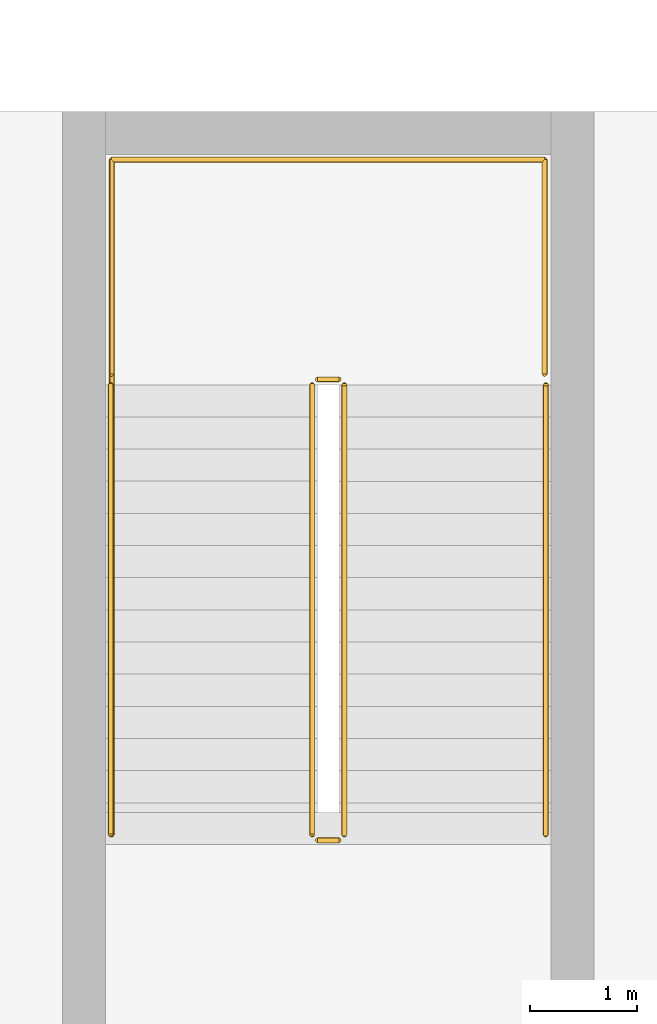
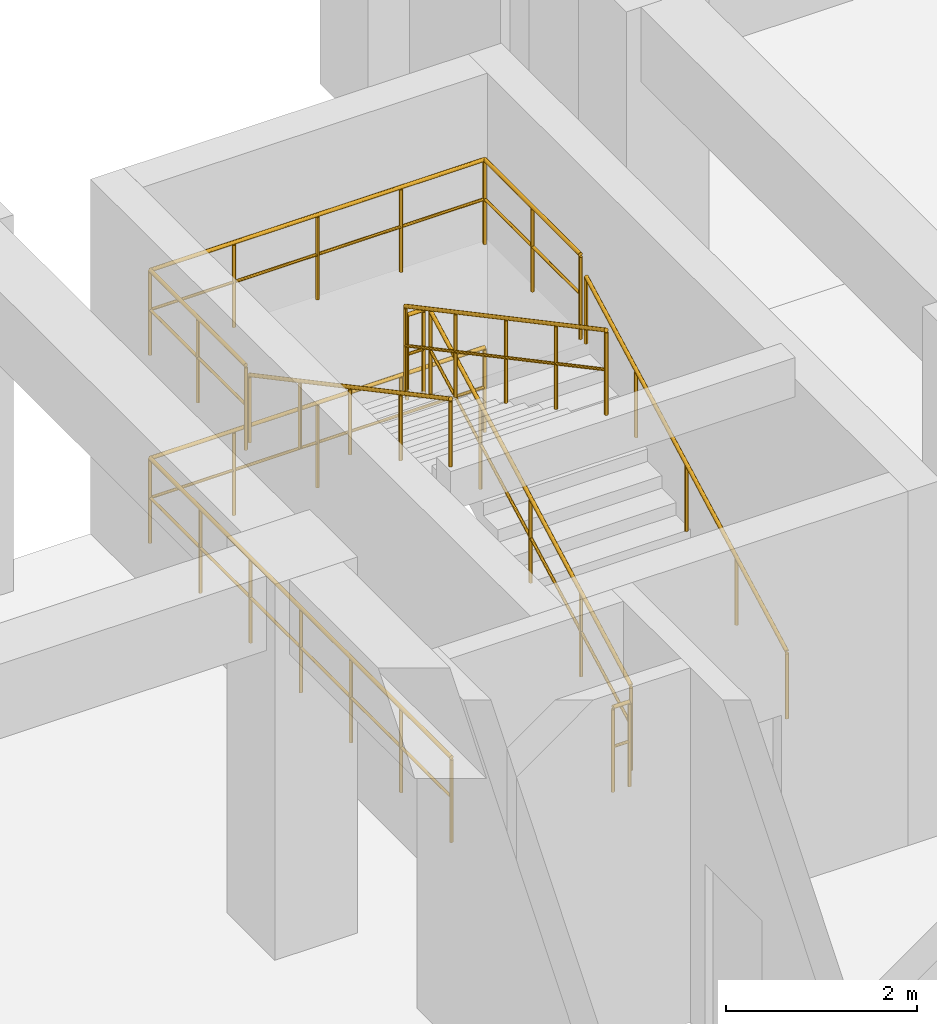
# One storey, part 44 of 49: 8 railings.
"""IFC4 building model written with IfcOpenShell, lengths in metres."""

from ifc_helpers import new_model, si_unit, direction, frame, origin, origin_2d, place, context, subcontext, project, spatial, circle, extrude, material, type_object, element, save


model = new_model("IFC4")

# Units and contexts
model_context = context("Model", 3, precision=1e-05, world=origin(), true_north=direction((0.0, 1.0)))
body_context = subcontext(model_context, "Body", "Model", "MODEL_VIEW")
ifc_project = project(units=[si_unit("LENGTHUNIT", "METRE"), si_unit("AREAUNIT", "SQUARE_METRE"), si_unit("VOLUMEUNIT", "CUBIC_METRE"), si_unit("PLANEANGLEUNIT", "RADIAN"), si_unit("MASSUNIT", "GRAM", prefix="KILO")], contexts=[model_context])

# Site, building, storey
site_placement = place(None, origin())
site = spatial("IfcSite", under=ifc_project, at=site_placement, CompositionType="ELEMENT")
building_placement = place(site_placement, origin())
building = spatial("IfcBuilding", under=site, at=building_placement, Name="Kenerak Square Central Library", CompositionType="ELEMENT")
storey_placement = place(building_placement, origin())
storey = spatial("IfcBuildingStorey", under=building, at=storey_placement, Name="L00", CompositionType="ELEMENT", Elevation=0.0)

# Railings
ifc_material = material(Name="Steel S355", Category="steel")
railing_type_1 = type_object("IfcRailingType", Name="Safety Guardrail GR-1100 S355", PredefinedType="GUARDRAIL", material=ifc_material)
railing_1_placement = place(storey_placement, frame((62.75, 103.64990234375, 0.159912109375)))
element("IfcRailing", 1, at=railing_1_placement, inside=storey, type_object=railing_type_1, Name="L00 ST-01 stair guard 1", PredefinedType="GUARDRAIL", context=body_context, shape_type="SweptSolid", body=[
    extrude(circle(Radius=0.02392578125, at=origin_2d()), frame((0.0, 0.0, 1.076171875), z_axis=(0.0, 0.882362879185, 0.470569601054), x_axis=(-1.0, 0.0, 0.0)), (0.0, 0.0, 1.0), 4.76025390625),
    extrude(circle(Radius=0.01806640625, at=origin_2d()), frame((0.0, 0.0, 0.572021484375), z_axis=(0.0, 0.882362879185, 0.470569601054), x_axis=(-1.0, 0.0, 0.0)), (0.0, 0.0, 1.0), 4.76025390625),
    extrude(circle(Radius=0.02099609375, at=origin_2d()), origin(), (0.0, 0.0, 1.0), 1.052001953125),
    extrude(circle(Radius=0.02099609375, at=origin_2d()), frame((0.0, 1.050048828125, 0.56005859375)), (0.0, 0.0, 1.0), 1.052001953125),
    extrude(circle(Radius=0.02099609375, at=origin_2d()), frame((0.0, 2.10009765625, 1.1201171875)), (0.0, 0.0, 1.0), 1.052001953125),
    extrude(circle(Radius=0.02099609375, at=origin_2d()), frame((0.0, 3.150146484375, 1.679931640625)), (0.0, 0.0, 1.0), 1.052001953125),
    extrude(circle(Radius=0.02099609375, at=origin_2d()), frame((0.0, 4.2001953125, 2.239990234375)), (0.0, 0.0, 1.0), 1.052001953125),
])
railing_2_placement = place(storey_placement, frame((62.699951171875, 107.89990234375, 2.39990234375)))
element("IfcRailing", 2, at=railing_2_placement, inside=storey, type_object=railing_type_1, Name="L00 ST-01 stair guard 2", PredefinedType="GUARDRAIL", context=body_context, shape_type="SweptSolid", body=[
    extrude(circle(Radius=0.02392578125, at=origin_2d()), frame((0.0, 0.0, 1.076171875), z_axis=(-1.0, 0.0, 0.0), x_axis=(0.0, -1.0, 0.0)), (0.0, 0.0, 1.0), 0.199951171875),
    extrude(circle(Radius=0.01806640625, at=origin_2d()), frame((0.0, 0.0, 0.572021484375), z_axis=(-1.0, 0.0, 0.0), x_axis=(0.0, -1.0, 0.0)), (0.0, 0.0, 1.0), 0.199951171875),
    extrude(circle(Radius=0.02099609375, at=origin_2d()), origin(), (0.0, 0.0, 1.0), 1.052001953125),
    extrude(circle(Radius=0.02099609375, at=origin_2d()), frame((-0.199951171875, 0.0, 0.0)), (0.0, 0.0, 1.0), 1.052001953125),
])
railing_3_placement = place(storey_placement, frame((62.449951171875, 107.85009765625, 2.56005859375)))
element("IfcRailing", 3, at=railing_3_placement, inside=storey, type_object=railing_type_1, Name="L00 ST-01 stair guard 3", PredefinedType="GUARDRAIL", context=body_context, shape_type="SweptSolid", body=[
    extrude(circle(Radius=0.02392578125, at=origin_2d()), frame((0.0, 0.0, 1.076171875), z_axis=(0.0, -0.882362879185, 0.470569601054), x_axis=(1.0, 0.0, 0.0)), (0.0, 0.0, 1.0), 4.76025390625),
    extrude(circle(Radius=0.01806640625, at=origin_2d()), frame((0.0, 0.0, 0.572021484375), z_axis=(0.0, -0.882362879185, 0.470569601054), x_axis=(1.0, 0.0, 0.0)), (0.0, 0.0, 1.0), 4.76025390625),
    extrude(circle(Radius=0.02099609375, at=origin_2d()), origin(), (0.0, 0.0, 1.0), 1.052001953125),
    extrude(circle(Radius=0.02099609375, at=origin_2d()), frame((0.0, -1.050048828125, 0.56005859375)), (0.0, 0.0, 1.0), 1.052001953125),
    extrude(circle(Radius=0.02099609375, at=origin_2d()), frame((0.0, -2.10009765625, 1.1201171875)), (0.0, 0.0, 1.0), 1.052001953125),
    extrude(circle(Radius=0.02099609375, at=origin_2d()), frame((0.0, -3.150146484375, 1.679931640625)), (0.0, 0.0, 1.0), 1.052001953125),
    extrude(circle(Radius=0.02099609375, at=origin_2d()), frame((0.0, -4.2001953125, 2.239990234375)), (0.0, 0.0, 1.0), 1.052001953125),
])
railing_4_placement = place(storey_placement, frame((62.699951171875, 103.60009765625, 0.0)))
element("IfcRailing", 4, at=railing_4_placement, inside=storey, type_object=railing_type_1, Name="L00 ST-01 stair guard 4", PredefinedType="GUARDRAIL", context=body_context, shape_type="SweptSolid", body=[
    extrude(circle(Radius=0.02392578125, at=origin_2d()), frame((0.0, 0.0, 1.076171875), z_axis=(-1.0, 0.0, 0.0), x_axis=(0.0, -1.0, 0.0)), (0.0, 0.0, 1.0), 0.199951171875),
    extrude(circle(Radius=0.01806640625, at=origin_2d()), frame((0.0, 0.0, 0.572021484375), z_axis=(-1.0, 0.0, 0.0), x_axis=(0.0, -1.0, 0.0)), (0.0, 0.0, 1.0), 0.199951171875),
    extrude(circle(Radius=0.02099609375, at=origin_2d()), origin(), (0.0, 0.0, 1.0), 1.052001953125),
    extrude(circle(Radius=0.02099609375, at=origin_2d()), frame((-0.199951171875, 0.0, 0.0)), (0.0, 0.0, 1.0), 1.052001953125),
])
railing_5_placement = place(storey_placement, frame((60.580078125, 107.949951171875, 2.39990234375)))
element("IfcRailing", 5, at=railing_5_placement, inside=storey, type_object=railing_type_1, Name="Stair Half-Landing Guard ST-01 L00", PredefinedType="GUARDRAIL", context=body_context, shape_type="SweptSolid", body=[
    extrude(circle(Radius=0.02392578125, at=origin_2d()), frame((0.0, 0.0, 1.076171875), z_axis=(0.0, 1.0, 0.0), x_axis=(-1.0, 0.0, 0.0)), (0.0, 0.0, 1.0), 2.0),
    extrude(circle(Radius=0.01806640625, at=origin_2d()), frame((0.0, 0.0, 0.572021484375), z_axis=(0.0, 1.0, 0.0), x_axis=(-1.0, 0.0, 0.0)), (0.0, 0.0, 1.0), 2.0),
    extrude(circle(Radius=0.02392578125, at=origin_2d()), frame((0.0, 2.0, 1.076171875), z_axis=(1.0, 0.0, 0.0), x_axis=(0.0, 1.0, 0.0)), (0.0, 0.0, 1.0), 4.0400390625),
    extrude(circle(Radius=0.01806640625, at=origin_2d()), frame((0.0, 2.0, 0.572021484375), z_axis=(1.0, 0.0, 0.0), x_axis=(0.0, 1.0, 0.0)), (0.0, 0.0, 1.0), 4.0400390625),
    extrude(circle(Radius=0.02392578125, at=origin_2d()), frame((4.0400390625, 2.0, 1.076171875), z_axis=(0.0, -1.0, 0.0), x_axis=(1.0, 0.0, 0.0)), (0.0, 0.0, 1.0), 2.0),
    extrude(circle(Radius=0.01806640625, at=origin_2d()), frame((4.0400390625, 2.0, 0.572021484375), z_axis=(0.0, -1.0, 0.0), x_axis=(1.0, 0.0, 0.0)), (0.0, 0.0, 1.0), 2.0),
    extrude(circle(Radius=0.02099609375, at=origin_2d()), origin(), (0.0, 0.0, 1.0), 1.052001953125),
    extrude(circle(Radius=0.02099609375, at=origin_2d()), frame((0.0, 1.0, 0.0)), (0.0, 0.0, 1.0), 1.052001953125),
    extrude(circle(Radius=0.02099609375, at=origin_2d()), frame((0.0, 2.0, 0.0)), (0.0, 0.0, 1.0), 1.052001953125),
    extrude(circle(Radius=0.02099609375, at=origin_2d()), frame((1.010009765625, 2.0, 0.0)), (0.0, 0.0, 1.0), 1.052001953125),
    extrude(circle(Radius=0.02099609375, at=origin_2d()), frame((2.02001953125, 2.0, 0.0)), (0.0, 0.0, 1.0), 1.052001953125),
    extrude(circle(Radius=0.02099609375, at=origin_2d()), frame((3.030029296875, 2.0, 0.0)), (0.0, 0.0, 1.0), 1.052001953125),
    extrude(circle(Radius=0.02099609375, at=origin_2d()), frame((4.0400390625, 2.0, 0.0)), (0.0, 0.0, 1.0), 1.052001953125),
    extrude(circle(Radius=0.02099609375, at=origin_2d()), frame((4.0400390625, 1.0, 0.0)), (0.0, 0.0, 1.0), 1.052001953125),
    extrude(circle(Radius=0.02099609375, at=origin_2d()), frame((4.0400390625, 0.0, 0.0)), (0.0, 0.0, 1.0), 1.052001953125),
])
railing_6_placement = place(storey_placement, frame((60.580078125, 103.64990234375, 0.0)))
element("IfcRailing", 6, at=railing_6_placement, inside=storey, type_object=railing_type_1, Name="Stair Well Floor Guard ST-01 L00", PredefinedType="GUARDRAIL", context=body_context, shape_type="SweptSolid", body=[
    extrude(circle(Radius=0.02392578125, at=origin_2d()), frame((0.0, 0.0, 1.076171875), z_axis=(0.0, 1.0, 0.0), x_axis=(-1.0, 0.0, 0.0)), (0.0, 0.0, 1.0), 6.300048828125),
    extrude(circle(Radius=0.01806640625, at=origin_2d()), frame((0.0, 0.0, 0.572021484375), z_axis=(0.0, 1.0, 0.0), x_axis=(-1.0, 0.0, 0.0)), (0.0, 0.0, 1.0), 6.300048828125),
    extrude(circle(Radius=0.02392578125, at=origin_2d()), frame((0.0, 6.300048828125, 1.076171875), z_axis=(1.0, 0.0, 0.0), x_axis=(0.0, 1.0, 0.0)), (0.0, 0.0, 1.0), 4.0400390625),
    extrude(circle(Radius=0.01806640625, at=origin_2d()), frame((0.0, 6.300048828125, 0.572021484375), z_axis=(1.0, 0.0, 0.0), x_axis=(0.0, 1.0, 0.0)), (0.0, 0.0, 1.0), 4.0400390625),
    extrude(circle(Radius=0.02099609375, at=origin_2d()), origin(), (0.0, 0.0, 1.0), 1.052001953125),
    extrude(circle(Radius=0.02099609375, at=origin_2d()), frame((0.0, 1.050048828125, 0.0)), (0.0, 0.0, 1.0), 1.052001953125),
    extrude(circle(Radius=0.02099609375, at=origin_2d()), frame((0.0, 2.10009765625, 0.0)), (0.0, 0.0, 1.0), 1.052001953125),
    extrude(circle(Radius=0.02099609375, at=origin_2d()), frame((0.0, 3.14990234375, 0.0)), (0.0, 0.0, 1.0), 1.052001953125),
    extrude(circle(Radius=0.02099609375, at=origin_2d()), frame((0.0, 4.199951171875, 0.0)), (0.0, 0.0, 1.0), 1.052001953125),
    extrude(circle(Radius=0.02099609375, at=origin_2d()), frame((0.0, 5.25, 0.0)), (0.0, 0.0, 1.0), 1.052001953125),
    extrude(circle(Radius=0.02099609375, at=origin_2d()), frame((0.0, 6.300048828125, 0.0)), (0.0, 0.0, 1.0), 1.052001953125),
    extrude(circle(Radius=0.02099609375, at=origin_2d()), frame((1.010009765625, 6.300048828125, 0.0)), (0.0, 0.0, 1.0), 1.052001953125),
    extrude(circle(Radius=0.02099609375, at=origin_2d()), frame((2.02001953125, 6.300048828125, 0.0)), (0.0, 0.0, 1.0), 1.052001953125),
    extrude(circle(Radius=0.02099609375, at=origin_2d()), frame((3.030029296875, 6.300048828125, 0.0)), (0.0, 0.0, 1.0), 1.052001953125),
    extrude(circle(Radius=0.02099609375, at=origin_2d()), frame((4.0400390625, 6.300048828125, 0.0)), (0.0, 0.0, 1.0), 1.052001953125),
])
railing_type_2 = type_object("IfcRailingType", Name="Stair Handrail HR-880 S355", PredefinedType="HANDRAIL", material=ifc_material)
railing_7_placement = place(storey_placement, frame((64.6298828125, 103.64990234375, 0.159912109375)))
element("IfcRailing", 7, at=railing_7_placement, inside=storey, type_object=railing_type_2, Name="L00 ST-01 stair handrail 1", PredefinedType="HANDRAIL", context=body_context, shape_type="SweptSolid", body=[
    extrude(circle(Radius=0.02392578125, at=origin_2d()), frame((0.0, 0.0, 0.85595703125), z_axis=(0.0, 0.882362879185, 0.470569601054), x_axis=(-1.0, 0.0, 0.0)), (0.0, 0.0, 1.0), 4.76025390625),
    extrude(circle(Radius=0.02099609375, at=origin_2d()), origin(), (0.0, 0.0, 1.0), 0.831787109375),
    extrude(circle(Radius=0.02099609375, at=origin_2d()), frame((0.0, 1.050048828125, 0.56005859375)), (0.0, 0.0, 1.0), 0.831787109375),
    extrude(circle(Radius=0.02099609375, at=origin_2d()), frame((0.0, 2.10009765625, 1.1201171875)), (0.0, 0.0, 1.0), 0.831787109375),
    extrude(circle(Radius=0.02099609375, at=origin_2d()), frame((0.0, 3.150146484375, 1.679931640625)), (0.0, 0.0, 1.0), 0.831787109375),
    extrude(circle(Radius=0.02099609375, at=origin_2d()), frame((0.0, 4.2001953125, 2.239990234375)), (0.0, 0.0, 1.0), 0.831787109375),
])
railing_8_placement = place(storey_placement, frame((60.570068359375, 107.85009765625, 2.56005859375)))
element("IfcRailing", 8, at=railing_8_placement, inside=storey, type_object=railing_type_2, Name="L00 ST-01 stair handrail 2", PredefinedType="HANDRAIL", context=body_context, shape_type="SweptSolid", body=[
    extrude(circle(Radius=0.02392578125, at=origin_2d()), frame((0.0, 0.0, 0.85595703125), z_axis=(0.0, -0.882362879185, 0.470569601054), x_axis=(1.0, 0.0, 0.0)), (0.0, 0.0, 1.0), 4.76025390625),
    extrude(circle(Radius=0.02099609375, at=origin_2d()), origin(), (0.0, 0.0, 1.0), 0.831787109375),
    extrude(circle(Radius=0.02099609375, at=origin_2d()), frame((0.0, -1.050048828125, 0.56005859375)), (0.0, 0.0, 1.0), 0.831787109375),
    extrude(circle(Radius=0.02099609375, at=origin_2d()), frame((0.0, -2.10009765625, 1.1201171875)), (0.0, 0.0, 1.0), 0.831787109375),
    extrude(circle(Radius=0.02099609375, at=origin_2d()), frame((0.0, -3.150146484375, 1.679931640625)), (0.0, 0.0, 1.0), 0.831787109375),
    extrude(circle(Radius=0.02099609375, at=origin_2d()), frame((0.0, -4.2001953125, 2.239990234375)), (0.0, 0.0, 1.0), 0.831787109375),
])

save(model, "model.ifc")
